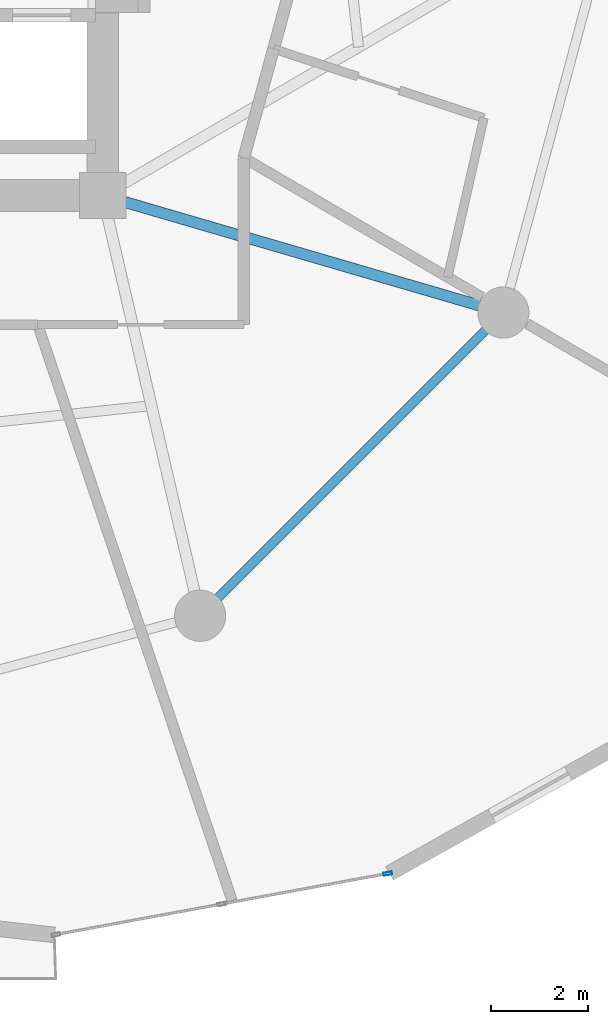
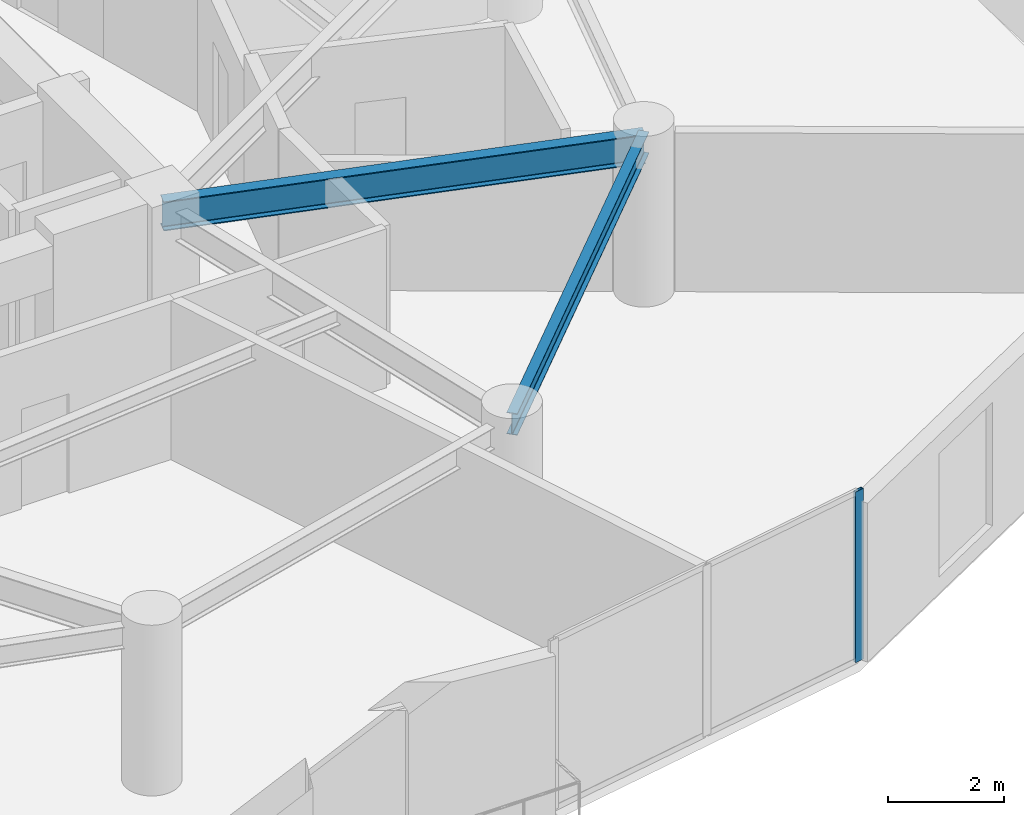
# One storey, part 10 of 25: 2 beams, 1 member, 1 element without a shape of its own.
"""IFC4 building model written with IfcOpenShell, lengths in metres."""

from ifc_helpers import new_model, si_unit, direction, frame, origin, origin_2d, place, context, subcontext, project, spatial, hollow_rectangle, i_section, extrude, source, transform, mapped, material, layer, layer_set, material_profile, profile_set, type_object, element, aggregate, save


model = new_model("IFC4")

# Units and contexts
model_context = context("Model", 3, precision=1e-05, world=origin(), true_north=direction((0.0, 1.0)))
body_context = subcontext(model_context, "Body", "Model", "MODEL_VIEW")
ifc_project = project(units=[si_unit("LENGTHUNIT", "METRE"), si_unit("AREAUNIT", "SQUARE_METRE"), si_unit("VOLUMEUNIT", "CUBIC_METRE"), si_unit("PLANEANGLEUNIT", "RADIAN"), si_unit("MASSUNIT", "GRAM", prefix="KILO")], contexts=[model_context])

# Site, building, storey
site_placement = place(None, origin())
site = spatial("IfcSite", under=ifc_project, at=site_placement, CompositionType="ELEMENT")
building_placement = place(site_placement, origin())
building = spatial("IfcBuilding", under=site, at=building_placement, Name="Solvirekh Grand Hotel", CompositionType="ELEMENT")
storey_placement = place(building_placement, frame((0.0, 0.0, 106.199951171875)))
storey = spatial("IfcBuildingStorey", under=building, at=storey_placement, Name="L26", CompositionType="ELEMENT", Elevation=106.199951171875)

# Beams
ifc_material_1 = material(Name="Steel S355", Category="steel")
ifc_material_profile_1 = material_profile(ifc_material_1, i_section(OverallWidth=0.22802734375, OverallDepth=0.616943359375, WebThickness=0.012939453125, FlangeThickness=0.02001953125, FilletRadius=0.014892578125, at=origin_2d()), Name="W610X140")
ifc_profile_set_1 = profile_set([ifc_material_profile_1], Name="Steel S355")
beam_type_1 = type_object("IfcBeamType", Name="Beam_Radial_W610", PredefinedType="BEAM", material=ifc_profile_set_1)
beam_1_placement = place(storey_placement, frame((6.5, -6.10009765625, 3.0419921875), z_axis=(0.959942195467, -0.28019811092, 0.0), x_axis=(0.28019811092, 0.959942195467, 0.0)))
element("IfcBeam", 1, at=beam_1_placement, inside=storey, type_object=beam_type_1, Name="L26 radial floor beam R12", PredefinedType="BEAM", context=body_context, shape_type="SweptSolid", body=[
    extrude(i_section(OverallWidth=0.22802734375, OverallDepth=0.616943359375, WebThickness=0.012939453125, FlangeThickness=0.02001953125, FilletRadius=0.014892578125, at=origin_2d()), origin(), (0.0, 0.0, 1.0), 8.56494140625),
])
ifc_material_profile_2 = material_profile(ifc_material_1, i_section(OverallWidth=0.18994140625, OverallDepth=0.45703125, WebThickness=0.009033203125, FlangeThickness=0.013916015625, FilletRadius=0.012939453125, at=origin_2d()), Name="W460X74")
ifc_profile_set_2 = profile_set([ifc_material_profile_2], Name="Steel S355")
beam_type_2 = type_object("IfcBeamType", Name="Spandrel_Ring_W460", PredefinedType="SPANDREL", material=ifc_profile_set_2)
beam_2_placement = place(storey_placement, frame((8.5, -14.721923828125, 3.1220703125), z_axis=(0.707106781187, 0.707106781187, 0.0), x_axis=(-0.707106781187, 0.707106781187, 0.0)))
element("IfcBeam", 2, at=beam_2_placement, inside=storey, type_object=beam_type_2, Name="L26 perimeter spandrel beam 11", PredefinedType="SPANDREL", context=body_context, shape_type="SweptSolid", body=[
    extrude(i_section(OverallWidth=0.18994140625, OverallDepth=0.45703125, WebThickness=0.009033203125, FlangeThickness=0.013916015625, FilletRadius=0.012939453125, at=origin_2d()), origin(), (0.0, 0.0, 1.0), 8.799072265625),
])

# Curtain wall, member
ifc_material_2 = material(Name="Anodized Bronze Aluminium 6063-T6", Category="aluminium")
ifc_layer = layer(ifc_material_2, 0.175048828125)
ifc_layer_set = layer_set([ifc_layer], Name="Anodized Bronze Aluminium 6063-T6")
curtain_wall_type = type_object("IfcCurtainWallType", Name="CW_Sys3_MidZoneFlushBronzeCW", PredefinedType="NOTDEFINED", material=ifc_layer_set)
curtain_wall_placement = place(storey_placement, origin())
curtain_wall = element("IfcCurtainWall", 3, at=curtain_wall_placement, inside=storey, type_object=curtain_wall_type, Name="L26 unitised bronze-glass curtain wall CW-L26-C18", PredefinedType="NOTDEFINED")
ifc_material_profile_3 = material_profile(ifc_material_2, hollow_rectangle(XDim=0.06494140625, YDim=0.175048828125, WallThickness=0.0048828125, at=origin_2d()), Name="ALU RHS 175X65X5")
ifc_profile_set_3 = profile_set([ifc_material_profile_3], Name="Anodized Bronze Aluminium 6063-T6")
member_type = type_object("IfcMemberType", Name="CWMullion_Sys3", PredefinedType="MULLION", material=ifc_profile_set_3)
shared_shape = source(origin(), body_context, "Body", "SweptSolid", [
    extrude(hollow_rectangle(XDim=0.06494140625, YDim=0.175048828125, WallThickness=0.0048828125, at=origin_2d()), origin(), (0.0, 0.0, 1.0), 3.60009765625),
])
member_placement = place(storey_placement, frame((12.35302734375, -20.013916015625, 0.0), z_axis=(0.0, 0.0, 1.0), x_axis=(-0.180987633873, 0.983485371719, 0.0)))
member = element("IfcMember", 4, at=member_placement, type_object=member_type, Name="U03 mullion 3", PredefinedType="MULLION", context=body_context, shape_type="MappedRepresentation", body=[
    mapped(shared_shape, transform((0.0, 0.0, 0.0), x_axis=(1.0, 0.0, 0.0), y_axis=(0.0, 1.0, 0.0), z_axis=(0.0, 0.0, 1.0), scale=1.0)),
])
aggregate(curtain_wall, [member])

save(model, "model.ifc")
